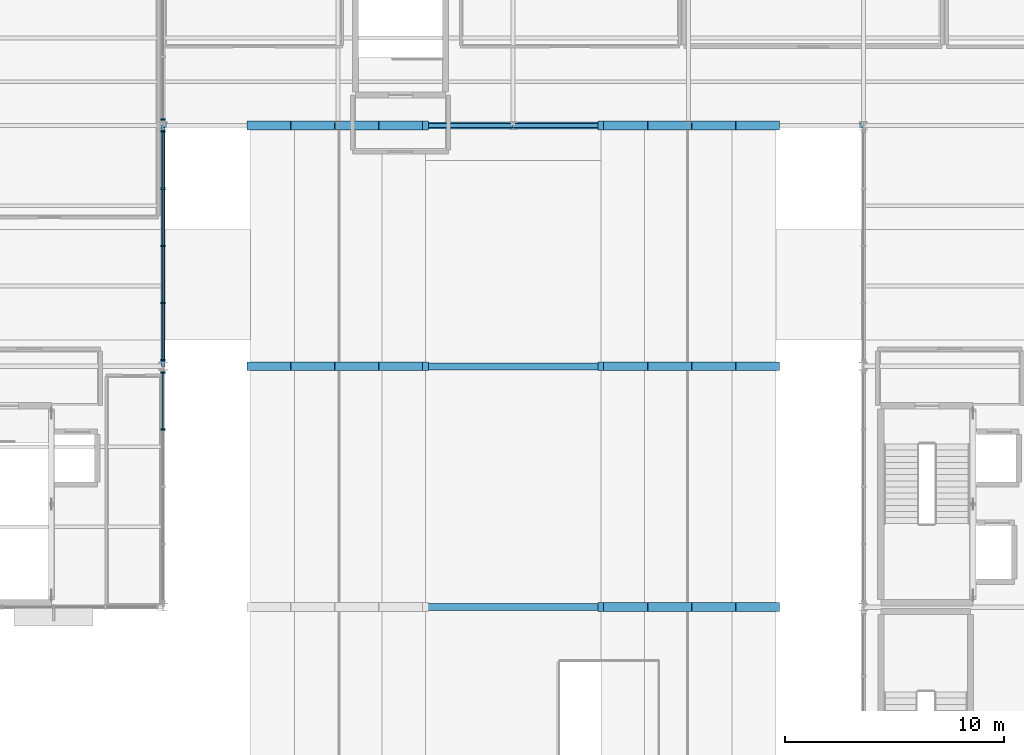
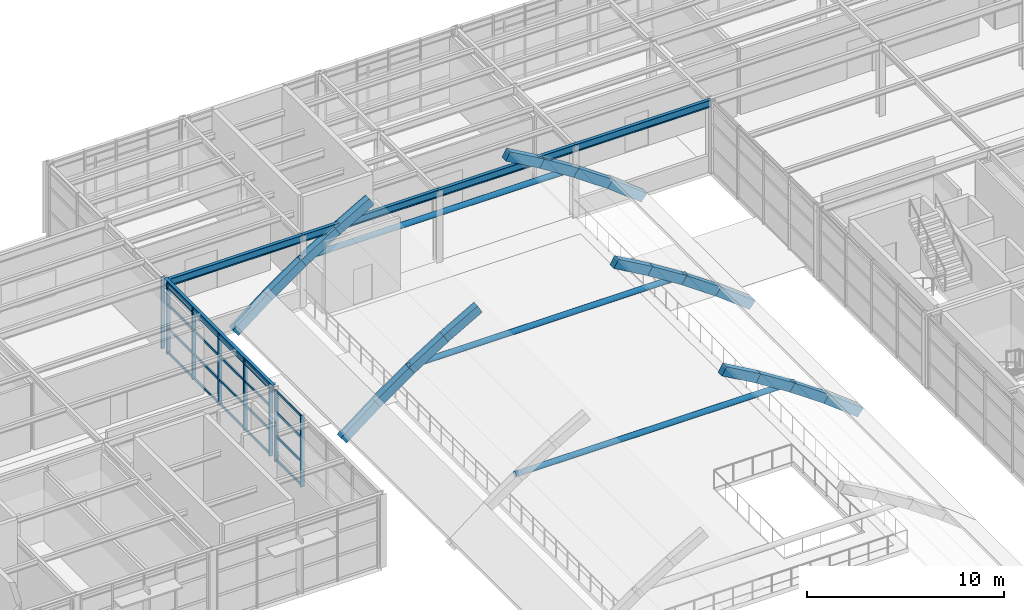
# One storey, part 29 of 82: 31 members, 25 beams, 3 elements without a shape of their own.
"""IFC4 building model written with IfcOpenShell, lengths in metres."""

from ifc_helpers import new_model, si_unit, direction, frame, origin, origin_2d, place, context, subcontext, project, spatial, rectangle, hollow_circle, i_section, extrude, material, layer, layer_set, material_profile, profile_set, type_object, element, aggregate, save


model = new_model("IFC4")

# Units and contexts
model_context = context("Model", 3, precision=1e-05, world=origin(), true_north=direction((0.0, 1.0)))
body_context = subcontext(model_context, "Body", "Model", "MODEL_VIEW")
ifc_project = project(units=[si_unit("LENGTHUNIT", "METRE"), si_unit("AREAUNIT", "SQUARE_METRE"), si_unit("VOLUMEUNIT", "CUBIC_METRE"), si_unit("PLANEANGLEUNIT", "RADIAN"), si_unit("MASSUNIT", "GRAM", prefix="KILO")], contexts=[model_context])

# Site, building, storey
site_placement = place(None, origin())
site = spatial("IfcSite", under=ifc_project, at=site_placement, CompositionType="ELEMENT")
building_placement = place(site_placement, origin())
building = spatial("IfcBuilding", under=site, at=building_placement, Name="Sitalva Quay Ferry Terminal", CompositionType="ELEMENT")
storey_placement = place(building_placement, frame((0.0, 0.0, 5.39990234375)))
storey = spatial("IfcBuildingStorey", under=building, at=storey_placement, Name="L02", CompositionType="ELEMENT", Elevation=5.39990234375)

# Beams
ifc_material_1 = material(Name="Concrete C40/50", Category="concrete")
ifc_material_profile_1 = material_profile(ifc_material_1, rectangle(XDim=0.39990234375, YDim=0.550048828125, at=origin_2d()), Name="RC400x550")
ifc_profile_set_1 = profile_set([ifc_material_profile_1], Name="Concrete C40/50")
beam_type_1 = type_object("IfcBeamType", Name="Beam_Arch_RC400x550", PredefinedType="BEAM", material=ifc_profile_set_1)
beam_1_placement = place(storey_placement, frame((62.0, 78.0, 5.19091796875), z_axis=(0.868569189846, 0.0, -0.495567919109), x_axis=(0.0, 1.0, 0.0)))
element("IfcBeam", 1, at=beam_1_placement, inside=storey, type_object=beam_type_1, Name="Vault V1 transverse arch rib 7.11", PredefinedType="BEAM", context=body_context, shape_type="SweptSolid", body=[
    extrude(rectangle(XDim=0.39990234375, YDim=0.550048828125, at=origin_2d()), origin(), (0.0, 0.0, 1.0), 2.302734375),
])
beam_2_placement = place(storey_placement, frame((64.0, 78.0, 4.044677734375), z_axis=(0.845437399876, 0.0, -0.534074529341), x_axis=(0.0, 1.0, 0.0)))
element("IfcBeam", 2, at=beam_2_placement, inside=storey, type_object=beam_type_1, Name="Vault V1 transverse arch rib 7.12", PredefinedType="BEAM", context=body_context, shape_type="SweptSolid", body=[
    extrude(rectangle(XDim=0.39990234375, YDim=0.550048828125, at=origin_2d()), origin(), (0.0, 0.0, 1.0), 2.36572265625),
])
beam_3_placement = place(storey_placement, frame((66.0, 78.0, 2.775390625), z_axis=(0.81986146461, 0.0, -0.572561943241), x_axis=(0.0, 1.0, 0.0)))
element("IfcBeam", 3, at=beam_3_placement, inside=storey, type_object=beam_type_1, Name="Vault V1 transverse arch rib 7.13", PredefinedType="BEAM", context=body_context, shape_type="SweptSolid", body=[
    extrude(rectangle(XDim=0.39990234375, YDim=0.550048828125, at=origin_2d()), origin(), (0.0, 0.0, 1.0), 2.439453125),
])
for number, where, z_axis, x_axis, name in (
    (4, (68.0, 78.0, 1.37158203125), (0.791620661202, 0.0, -0.611012871189), (0.0, 1.0, 0.0), "Vault V1 transverse arch rib 7.14"),
    (5, (46.0, 89.0, -0.172119140625), (0.791620661202, 0.0, 0.611012871189), (0.0, 1.0, 0.0), "Vault V1 transverse arch rib 8.3"),
):
    element("IfcBeam", number, at=place(storey_placement, frame(where, z_axis=z_axis, x_axis=x_axis)), inside=storey, type_object=beam_type_1, Name=name, PredefinedType="BEAM", context=body_context, shape_type="SweptSolid", body=[
        extrude(rectangle(XDim=0.39990234375, YDim=0.550048828125, at=origin_2d()), origin(), (0.0, 0.0, 1.0), 2.5263671875),
    ])
beam_4_placement = place(storey_placement, frame((48.0, 89.0, 1.378662109375), z_axis=(0.81986146461, 0.0, 0.572561943241), x_axis=(0.0, 1.0, 0.0)))
element("IfcBeam", 6, at=beam_4_placement, inside=storey, type_object=beam_type_1, Name="Vault V1 transverse arch rib 8.4", PredefinedType="BEAM", context=body_context, shape_type="SweptSolid", body=[
    extrude(rectangle(XDim=0.39990234375, YDim=0.550048828125, at=origin_2d()), origin(), (0.0, 0.0, 1.0), 2.439453125),
])
beam_5_placement = place(storey_placement, frame((50.0, 89.0, 2.78125), z_axis=(0.845437399876, 0.0, 0.534074529341), x_axis=(0.0, 1.0, 0.0)))
element("IfcBeam", 7, at=beam_5_placement, inside=storey, type_object=beam_type_1, Name="Vault V1 transverse arch rib 8.5", PredefinedType="BEAM", context=body_context, shape_type="SweptSolid", body=[
    extrude(rectangle(XDim=0.39990234375, YDim=0.550048828125, at=origin_2d()), origin(), (0.0, 0.0, 1.0), 2.36572265625),
])
for number, where, z_axis, x_axis, name in (
    (8, (52.0, 89.0, 4.0498046875), (0.868569189846, 0.0, 0.495567919109), (0.0, 1.0, 0.0), "Vault V1 transverse arch rib 8.6"),
    (9, (62.0, 89.0, 5.19091796875), (0.868569189846, 0.0, -0.495567919109), (0.0, 1.0, 0.0), "Vault V1 transverse arch rib 8.11"),
):
    element("IfcBeam", number, at=place(storey_placement, frame(where, z_axis=z_axis, x_axis=x_axis)), inside=storey, type_object=beam_type_1, Name=name, PredefinedType="BEAM", context=body_context, shape_type="SweptSolid", body=[
        extrude(rectangle(XDim=0.39990234375, YDim=0.550048828125, at=origin_2d()), origin(), (0.0, 0.0, 1.0), 2.302734375),
    ])
beam_6_placement = place(storey_placement, frame((64.0, 89.0, 4.044677734375), z_axis=(0.845437399876, 0.0, -0.534074529341), x_axis=(0.0, 1.0, 0.0)))
element("IfcBeam", 10, at=beam_6_placement, inside=storey, type_object=beam_type_1, Name="Vault V1 transverse arch rib 8.12", PredefinedType="BEAM", context=body_context, shape_type="SweptSolid", body=[
    extrude(rectangle(XDim=0.39990234375, YDim=0.550048828125, at=origin_2d()), origin(), (0.0, 0.0, 1.0), 2.36572265625),
])
beam_7_placement = place(storey_placement, frame((66.0, 89.0, 2.775390625), z_axis=(0.81986146461, 0.0, -0.572561943241), x_axis=(0.0, 1.0, 0.0)))
element("IfcBeam", 11, at=beam_7_placement, inside=storey, type_object=beam_type_1, Name="Vault V1 transverse arch rib 8.13", PredefinedType="BEAM", context=body_context, shape_type="SweptSolid", body=[
    extrude(rectangle(XDim=0.39990234375, YDim=0.550048828125, at=origin_2d()), origin(), (0.0, 0.0, 1.0), 2.439453125),
])
for number, where, z_axis, x_axis, name in (
    (12, (68.0, 89.0, 1.37158203125), (0.791620661202, 0.0, -0.611012871189), (0.0, 1.0, 0.0), "Vault V1 transverse arch rib 8.14"),
    (13, (46.0, 100.0, -0.172119140625), (0.791620661202, 0.0, 0.611012871189), (0.0, 1.0, 0.0), "Vault V1 transverse arch rib 9.3"),
):
    element("IfcBeam", number, at=place(storey_placement, frame(where, z_axis=z_axis, x_axis=x_axis)), inside=storey, type_object=beam_type_1, Name=name, PredefinedType="BEAM", context=body_context, shape_type="SweptSolid", body=[
        extrude(rectangle(XDim=0.39990234375, YDim=0.550048828125, at=origin_2d()), origin(), (0.0, 0.0, 1.0), 2.5263671875),
    ])
beam_8_placement = place(storey_placement, frame((48.0, 100.0, 1.378662109375), z_axis=(0.81986146461, 0.0, 0.572561943241), x_axis=(0.0, 1.0, 0.0)))
element("IfcBeam", 14, at=beam_8_placement, inside=storey, type_object=beam_type_1, Name="Vault V1 transverse arch rib 9.4", PredefinedType="BEAM", context=body_context, shape_type="SweptSolid", body=[
    extrude(rectangle(XDim=0.39990234375, YDim=0.550048828125, at=origin_2d()), origin(), (0.0, 0.0, 1.0), 2.439453125),
])
beam_9_placement = place(storey_placement, frame((50.0, 100.0, 2.78125), z_axis=(0.845437399876, 0.0, 0.534074529341), x_axis=(0.0, 1.0, 0.0)))
element("IfcBeam", 15, at=beam_9_placement, inside=storey, type_object=beam_type_1, Name="Vault V1 transverse arch rib 9.5", PredefinedType="BEAM", context=body_context, shape_type="SweptSolid", body=[
    extrude(rectangle(XDim=0.39990234375, YDim=0.550048828125, at=origin_2d()), origin(), (0.0, 0.0, 1.0), 2.36572265625),
])
for number, where, z_axis, x_axis, name in (
    (16, (52.0, 100.0, 4.0498046875), (0.868569189846, 0.0, 0.495567919109), (0.0, 1.0, 0.0), "Vault V1 transverse arch rib 9.6"),
    (17, (62.0, 100.0, 5.19091796875), (0.868569189846, 0.0, -0.495567919109), (0.0, 1.0, 0.0), "Vault V1 transverse arch rib 9.11"),
):
    element("IfcBeam", number, at=place(storey_placement, frame(where, z_axis=z_axis, x_axis=x_axis)), inside=storey, type_object=beam_type_1, Name=name, PredefinedType="BEAM", context=body_context, shape_type="SweptSolid", body=[
        extrude(rectangle(XDim=0.39990234375, YDim=0.550048828125, at=origin_2d()), origin(), (0.0, 0.0, 1.0), 2.302734375),
    ])
beam_10_placement = place(storey_placement, frame((64.0, 100.0, 4.044677734375), z_axis=(0.845437399876, 0.0, -0.534074529341), x_axis=(0.0, 1.0, 0.0)))
element("IfcBeam", 18, at=beam_10_placement, inside=storey, type_object=beam_type_1, Name="Vault V1 transverse arch rib 9.12", PredefinedType="BEAM", context=body_context, shape_type="SweptSolid", body=[
    extrude(rectangle(XDim=0.39990234375, YDim=0.550048828125, at=origin_2d()), origin(), (0.0, 0.0, 1.0), 2.36572265625),
])
beam_11_placement = place(storey_placement, frame((66.0, 100.0, 2.775390625), z_axis=(0.81986146461, 0.0, -0.572561943241), x_axis=(0.0, 1.0, 0.0)))
element("IfcBeam", 19, at=beam_11_placement, inside=storey, type_object=beam_type_1, Name="Vault V1 transverse arch rib 9.13", PredefinedType="BEAM", context=body_context, shape_type="SweptSolid", body=[
    extrude(rectangle(XDim=0.39990234375, YDim=0.550048828125, at=origin_2d()), origin(), (0.0, 0.0, 1.0), 2.439453125),
])
beam_12_placement = place(storey_placement, frame((68.0, 100.0, 1.37158203125), z_axis=(0.791620661202, 0.0, -0.611012871189), x_axis=(0.0, 1.0, 0.0)))
element("IfcBeam", 20, at=beam_12_placement, inside=storey, type_object=beam_type_1, Name="Vault V1 transverse arch rib 9.14", PredefinedType="BEAM", context=body_context, shape_type="SweptSolid", body=[
    extrude(rectangle(XDim=0.39990234375, YDim=0.550048828125, at=origin_2d()), origin(), (0.0, 0.0, 1.0), 2.5263671875),
])
ifc_material_2 = material(Name="Structural Steel S355JR", Category="steel")
ifc_material_profile_2 = material_profile(ifc_material_2, i_section(OverallWidth=0.180908203125, OverallDepth=0.4169921875, WebThickness=0.010986328125, FlangeThickness=0.018310546875, FilletRadius=0.012939453125, at=origin_2d()), Name="W410x85")
ifc_profile_set_2 = profile_set([ifc_material_profile_2], Name="Structural Steel S355JR")
beam_type_2 = type_object("IfcBeamType", Name="Beam_W410x85", PredefinedType="BEAM", material=ifc_profile_set_2)
beam_13_placement = place(storey_placement, frame((42.0, 89.0, 4.3515625), z_axis=(0.0, 1.0, 0.0), x_axis=(-1.0, 0.0, 0.0)))
element("IfcBeam", 21, at=beam_13_placement, inside=storey, type_object=beam_type_2, Name="L02 Primary Y girder 0980", PredefinedType="BEAM", context=body_context, shape_type="SweptSolid", body=[
    extrude(i_section(OverallWidth=0.180908203125, OverallDepth=0.4169921875, WebThickness=0.010986328125, FlangeThickness=0.018310546875, FilletRadius=0.012939453125, at=origin_2d()), origin(), (0.0, 0.0, 1.0), 11.0),
])
ifc_material_3 = material(Name="Structural Steel S355JR", Category="steel")
ifc_material_profile_3 = material_profile(ifc_material_3, i_section(OverallWidth=0.19091796875, OverallDepth=0.4599609375, WebThickness=0.010009765625, FlangeThickness=0.01611328125, FilletRadius=0.013916015625, at=origin_2d()), Name="W460x82")
ifc_profile_set_3 = profile_set([ifc_material_profile_3], Name="Structural Steel S355JR")
beam_type_3 = type_object("IfcBeamType", Name="Beam_W460x82", PredefinedType="BEAM", material=ifc_profile_set_3)
for number, where, z_axis, x_axis, name in (
    (22, (42.0, 100.0, 4.22021484375), (1.0, 0.0, 0.0), (0.0, 1.0, 0.0), "L02 Primary X girder 1129"),
    (23, (50.0, 100.0, 4.22021484375), (1.0, 0.0, 0.0), (0.0, 1.0, 0.0), "L02 Primary X girder 1130"),
    (24, (58.0, 100.0, 4.22021484375), (1.0, 0.0, 0.0), (0.0, 1.0, 0.0), "L02 Primary X girder 1131"),
    (25, (66.0, 100.0, 4.22021484375), (1.0, 0.0, 0.0), (0.0, 1.0, 0.0), "L02 Primary X girder 1132"),
):
    element("IfcBeam", number, at=place(storey_placement, frame(where, z_axis=z_axis, x_axis=x_axis)), inside=storey, type_object=beam_type_3, Name=name, PredefinedType="BEAM", context=body_context, shape_type="SweptSolid", body=[
        extrude(i_section(OverallWidth=0.19091796875, OverallDepth=0.4599609375, WebThickness=0.010009765625, FlangeThickness=0.01611328125, FilletRadius=0.013916015625, at=origin_2d()), origin(), (0.0, 0.0, 1.0), 8.0),
    ])

# Curtain wall, members
ifc_material_4 = material(Name="Anodised Aluminium & Low-E Glazing", Category="aluminium")
ifc_layer = layer(ifc_material_4, 0.159912109375)
ifc_layer_set = layer_set([ifc_layer], Name="Anodised Aluminium & Low-E Glazing")
curtain_wall_type = type_object("IfcCurtainWallType", Name="CW_Office_Unitised", PredefinedType="USERDEFINED", material=ifc_layer_set)
curtain_wall_1_placement = place(storey_placement, origin())
curtain_wall_1 = element("IfcCurtainWall", 26, at=curtain_wall_1_placement, inside=storey, type_object=curtain_wall_type, Name="L02 west wing east glazing overlooking V1 (CW-L02-109)", ObjectType="CURTAIN_WALL", PredefinedType="USERDEFINED")
ifc_material_5 = material(Name="Anodised Aluminium 6063-T6", Category="aluminium")
ifc_material_profile_4 = material_profile(ifc_material_5, rectangle(XDim=0.074951171875, YDim=0.219970703125, at=origin_2d()), Name="ALU75x220")
ifc_profile_set_4 = profile_set([ifc_material_profile_4], Name="Anodised Aluminium 6063-T6")
member_type_1 = type_object("IfcMemberType", Name="Mullion_Alu_75x160", PredefinedType="MULLION", material=ifc_profile_set_4)
member_1_placement = place(storey_placement, frame((42.0, 86.110107421875, 0.0), z_axis=(0.0, 0.0, 1.0), x_axis=(0.0, 1.0, 0.0)))
member_1 = element("IfcMember", 27, at=member_1_placement, type_object=member_type_1, Name="CW-L02-109-M3", PredefinedType="MULLION", context=body_context, shape_type="SweptSolid", body=[
    extrude(rectangle(XDim=0.074951171875, YDim=0.219970703125, at=origin_2d()), origin(), (0.0, 0.0, 1.0), 4.4501953125),
])
member_2_placement = place(storey_placement, frame((42.0, 88.719970703125, 0.0), z_axis=(0.0, 0.0, 1.0), x_axis=(0.0, 1.0, 0.0)))
member_2 = element("IfcMember", 28, at=member_2_placement, type_object=member_type_1, Name="CW-L02-109-M4", PredefinedType="MULLION", context=body_context, shape_type="SweptSolid", body=[
    extrude(rectangle(XDim=0.074951171875, YDim=0.219970703125, at=origin_2d()), origin(), (0.0, 0.0, 1.0), 4.4501953125),
])

curtain_wall_2_placement = place(storey_placement, origin())
curtain_wall_2 = element("IfcCurtainWall", 29, at=curtain_wall_2_placement, inside=storey, type_object=curtain_wall_type, Name="L02 west wing east glazing overlooking V1 (CW-L02-111)", ObjectType="CURTAIN_WALL", PredefinedType="USERDEFINED")
member_3_placement = place(storey_placement, frame((42.0, 89.280029296875, 0.0), z_axis=(0.0, 0.0, 1.0), x_axis=(0.0, 1.0, 0.0)))
member_3 = element("IfcMember", 30, at=member_3_placement, type_object=member_type_1, Name="CW-L02-111-M0", PredefinedType="MULLION", context=body_context, shape_type="SweptSolid", body=[
    extrude(rectangle(XDim=0.074951171875, YDim=0.219970703125, at=origin_2d()), origin(), (0.0, 0.0, 1.0), 4.4501953125),
])
member_4_placement = place(storey_placement, frame((42.0, 91.889892578125, 0.0), z_axis=(0.0, 0.0, 1.0), x_axis=(0.0, 1.0, 0.0)))
member_4 = element("IfcMember", 31, at=member_4_placement, type_object=member_type_1, Name="CW-L02-111-M1", PredefinedType="MULLION", context=body_context, shape_type="SweptSolid", body=[
    extrude(rectangle(XDim=0.074951171875, YDim=0.219970703125, at=origin_2d()), origin(), (0.0, 0.0, 1.0), 4.4501953125),
])
member_5_placement = place(storey_placement, frame((42.0, 94.5, 0.0), z_axis=(0.0, 0.0, 1.0), x_axis=(0.0, 1.0, 0.0)))
member_5 = element("IfcMember", 32, at=member_5_placement, type_object=member_type_1, Name="CW-L02-111-M2", PredefinedType="MULLION", context=body_context, shape_type="SweptSolid", body=[
    extrude(rectangle(XDim=0.074951171875, YDim=0.219970703125, at=origin_2d()), origin(), (0.0, 0.0, 1.0), 4.4501953125),
])
member_6_placement = place(storey_placement, frame((42.0, 97.110107421875, 0.0), z_axis=(0.0, 0.0, 1.0), x_axis=(0.0, 1.0, 0.0)))
member_6 = element("IfcMember", 33, at=member_6_placement, type_object=member_type_1, Name="CW-L02-111-M3", PredefinedType="MULLION", context=body_context, shape_type="SweptSolid", body=[
    extrude(rectangle(XDim=0.074951171875, YDim=0.219970703125, at=origin_2d()), origin(), (0.0, 0.0, 1.0), 4.4501953125),
])
member_7_placement = place(storey_placement, frame((42.0, 99.719970703125, 0.0), z_axis=(0.0, 0.0, 1.0), x_axis=(0.0, 1.0, 0.0)))
member_7 = element("IfcMember", 34, at=member_7_placement, type_object=member_type_1, Name="CW-L02-111-M4", PredefinedType="MULLION", context=body_context, shape_type="SweptSolid", body=[
    extrude(rectangle(XDim=0.074951171875, YDim=0.219970703125, at=origin_2d()), origin(), (0.0, 0.0, 1.0), 4.4501953125),
])

# Curtain wall, member
curtain_wall_3_placement = place(storey_placement, origin())
curtain_wall_3 = element("IfcCurtainWall", 35, at=curtain_wall_3_placement, inside=storey, type_object=curtain_wall_type, Name="L02 forecourt west return glazing (CW-L02-113)", ObjectType="CURTAIN_WALL", PredefinedType="USERDEFINED")
member_8_placement = place(storey_placement, frame((42.0, 100.280029296875, 0.0), z_axis=(0.0, 0.0, 1.0), x_axis=(0.0, 1.0, 0.0)))
member_8 = element("IfcMember", 36, at=member_8_placement, type_object=member_type_1, Name="CW-L02-113-M0", PredefinedType="MULLION", context=body_context, shape_type="SweptSolid", body=[
    extrude(rectangle(XDim=0.074951171875, YDim=0.219970703125, at=origin_2d()), origin(), (0.0, 0.0, 1.0), 4.4501953125),
])
aggregate(curtain_wall_3, [member_8])

# Members
ifc_material_6 = material(Name="Structural Steel S355JR", Category="steel")
ifc_material_profile_5 = material_profile(ifc_material_6, hollow_circle(Radius=0.161865234375, WallThickness=0.012451171875, at=origin_2d()), Name="CHS324x12.5")
ifc_profile_set_5 = profile_set([ifc_material_profile_5], Name="Structural Steel S355JR")
member_type_2 = type_object("IfcMemberType", Name="Strut_CHS324x12", PredefinedType="STRUT", material=ifc_profile_set_5)
for number, where, z_axis, x_axis, name in (
    (37, (49.800048828125, 78.0, 2.9501953125), (1.0, 0.0, 0.0), (0.0, 1.0, 0.0), "Vault V1 elevated arch collar tie 7"),
    (38, (49.800048828125, 89.0, 2.9501953125), (1.0, 0.0, 0.0), (0.0, 1.0, 0.0), "Vault V1 elevated arch collar tie 8"),
    (39, (49.800048828125, 100.0, 2.9501953125), (1.0, 0.0, 0.0), (0.0, 1.0, 0.0), "Vault V1 elevated arch collar tie 9"),
):
    element("IfcMember", number, at=place(storey_placement, frame(where, z_axis=z_axis, x_axis=x_axis)), inside=storey, type_object=member_type_2, Name=name, PredefinedType="STRUT", context=body_context, shape_type="SweptSolid", body=[
        extrude(hollow_circle(Radius=0.161865234375, WallThickness=0.012451171875, at=origin_2d()), origin(), (0.0, 0.0, 1.0), 16.39990234375),
    ])

# Member
ifc_material_7 = material(Name="Anodised Aluminium 6063-T6", Category="aluminium")
ifc_material_profile_6 = material_profile(ifc_material_7, rectangle(XDim=0.074951171875, YDim=0.14990234375, at=origin_2d()), Name="ALU75x150")
ifc_profile_set_6 = profile_set([ifc_material_profile_6], Name="Anodised Aluminium 6063-T6")
member_type_3 = type_object("IfcMemberType", Name="Transom_Alu_75x140", PredefinedType="MULLION", material=ifc_profile_set_6)
member_9_placement = place(storey_placement, frame((42.0, 86.1474609375, 0.0751953125), z_axis=(0.0, 1.0, 0.0), x_axis=(-1.0, 0.0, 0.0)))
member_9 = element("IfcMember", 40, at=member_9_placement, type_object=member_type_3, Name="CW-L02-109-T3-0", ObjectType="TRANSOM", PredefinedType="USERDEFINED", context=body_context, shape_type="SweptSolid", body=[
    extrude(rectangle(XDim=0.074951171875, YDim=0.14990234375, at=origin_2d()), origin(), (0.0, 0.0, 1.0), 2.53515625),
])

member_10_placement = place(storey_placement, frame((42.0, 86.1474609375, 1.558349609375), z_axis=(0.0, 1.0, 0.0), x_axis=(-1.0, 0.0, 0.0)))
member_10 = element("IfcMember", 41, at=member_10_placement, type_object=member_type_3, Name="CW-L02-109-T3-1", ObjectType="TRANSOM", PredefinedType="USERDEFINED", context=body_context, shape_type="SweptSolid", body=[
    extrude(rectangle(XDim=0.074951171875, YDim=0.14990234375, at=origin_2d()), origin(), (0.0, 0.0, 1.0), 2.53515625),
])

member_11_placement = place(storey_placement, frame((42.0, 86.1474609375, 3.041748046875), z_axis=(0.0, 1.0, 0.0), x_axis=(-1.0, 0.0, 0.0)))
member_11 = element("IfcMember", 42, at=member_11_placement, type_object=member_type_3, Name="CW-L02-109-T3-2", ObjectType="TRANSOM", PredefinedType="USERDEFINED", context=body_context, shape_type="SweptSolid", body=[
    extrude(rectangle(XDim=0.074951171875, YDim=0.14990234375, at=origin_2d()), origin(), (0.0, 0.0, 1.0), 2.53515625),
])

member_12_placement = place(storey_placement, frame((42.0, 86.1474609375, 4.375), z_axis=(0.0, 1.0, 0.0), x_axis=(-1.0, 0.0, 0.0)))
member_12 = element("IfcMember", 43, at=member_12_placement, type_object=member_type_3, Name="CW-L02-109-T3-3", ObjectType="TRANSOM", PredefinedType="USERDEFINED", context=body_context, shape_type="SweptSolid", body=[
    extrude(rectangle(XDim=0.074951171875, YDim=0.14990234375, at=origin_2d()), origin(), (0.0, 0.0, 1.0), 2.53515625),
])

aggregate(curtain_wall_1, [member_1, member_2, member_9, member_10, member_11, member_12])

member_13_placement = place(storey_placement, frame((42.0, 89.3173828125, 0.0751953125), z_axis=(0.0, 1.0, 0.0), x_axis=(-1.0, 0.0, 0.0)))
member_13 = element("IfcMember", 44, at=member_13_placement, type_object=member_type_3, Name="CW-L02-111-T0-0", ObjectType="TRANSOM", PredefinedType="USERDEFINED", context=body_context, shape_type="SweptSolid", body=[
    extrude(rectangle(XDim=0.074951171875, YDim=0.14990234375, at=origin_2d()), origin(), (0.0, 0.0, 1.0), 2.53515625),
])

member_14_placement = place(storey_placement, frame((42.0, 89.3173828125, 1.558349609375), z_axis=(0.0, 1.0, 0.0), x_axis=(-1.0, 0.0, 0.0)))
member_14 = element("IfcMember", 45, at=member_14_placement, type_object=member_type_3, Name="CW-L02-111-T0-1", ObjectType="TRANSOM", PredefinedType="USERDEFINED", context=body_context, shape_type="SweptSolid", body=[
    extrude(rectangle(XDim=0.074951171875, YDim=0.14990234375, at=origin_2d()), origin(), (0.0, 0.0, 1.0), 2.53515625),
])

member_15_placement = place(storey_placement, frame((42.0, 89.3173828125, 3.041748046875), z_axis=(0.0, 1.0, 0.0), x_axis=(-1.0, 0.0, 0.0)))
member_15 = element("IfcMember", 46, at=member_15_placement, type_object=member_type_3, Name="CW-L02-111-T0-2", ObjectType="TRANSOM", PredefinedType="USERDEFINED", context=body_context, shape_type="SweptSolid", body=[
    extrude(rectangle(XDim=0.074951171875, YDim=0.14990234375, at=origin_2d()), origin(), (0.0, 0.0, 1.0), 2.53515625),
])

member_16_placement = place(storey_placement, frame((42.0, 89.3173828125, 4.375), z_axis=(0.0, 1.0, 0.0), x_axis=(-1.0, 0.0, 0.0)))
member_16 = element("IfcMember", 47, at=member_16_placement, type_object=member_type_3, Name="CW-L02-111-T0-3", ObjectType="TRANSOM", PredefinedType="USERDEFINED", context=body_context, shape_type="SweptSolid", body=[
    extrude(rectangle(XDim=0.074951171875, YDim=0.14990234375, at=origin_2d()), origin(), (0.0, 0.0, 1.0), 2.53515625),
])

member_17_placement = place(storey_placement, frame((42.0, 91.927490234375, 0.0751953125), z_axis=(0.0, 1.0, 0.0), x_axis=(-1.0, 0.0, 0.0)))
member_17 = element("IfcMember", 48, at=member_17_placement, type_object=member_type_3, Name="CW-L02-111-T1-0", ObjectType="TRANSOM", PredefinedType="USERDEFINED", context=body_context, shape_type="SweptSolid", body=[
    extrude(rectangle(XDim=0.074951171875, YDim=0.14990234375, at=origin_2d()), origin(), (0.0, 0.0, 1.0), 2.534912109375),
])

member_18_placement = place(storey_placement, frame((42.0, 91.927490234375, 1.558349609375), z_axis=(0.0, 1.0, 0.0), x_axis=(-1.0, 0.0, 0.0)))
member_18 = element("IfcMember", 49, at=member_18_placement, type_object=member_type_3, Name="CW-L02-111-T1-1", ObjectType="TRANSOM", PredefinedType="USERDEFINED", context=body_context, shape_type="SweptSolid", body=[
    extrude(rectangle(XDim=0.074951171875, YDim=0.14990234375, at=origin_2d()), origin(), (0.0, 0.0, 1.0), 2.534912109375),
])

member_19_placement = place(storey_placement, frame((42.0, 91.927490234375, 3.041748046875), z_axis=(0.0, 1.0, 0.0), x_axis=(-1.0, 0.0, 0.0)))
member_19 = element("IfcMember", 50, at=member_19_placement, type_object=member_type_3, Name="CW-L02-111-T1-2", ObjectType="TRANSOM", PredefinedType="USERDEFINED", context=body_context, shape_type="SweptSolid", body=[
    extrude(rectangle(XDim=0.074951171875, YDim=0.14990234375, at=origin_2d()), origin(), (0.0, 0.0, 1.0), 2.534912109375),
])

member_20_placement = place(storey_placement, frame((42.0, 91.927490234375, 4.375), z_axis=(0.0, 1.0, 0.0), x_axis=(-1.0, 0.0, 0.0)))
member_20 = element("IfcMember", 51, at=member_20_placement, type_object=member_type_3, Name="CW-L02-111-T1-3", ObjectType="TRANSOM", PredefinedType="USERDEFINED", context=body_context, shape_type="SweptSolid", body=[
    extrude(rectangle(XDim=0.074951171875, YDim=0.14990234375, at=origin_2d()), origin(), (0.0, 0.0, 1.0), 2.534912109375),
])

member_21_placement = place(storey_placement, frame((42.0, 94.53759765625, 0.0751953125), z_axis=(0.0, 1.0, 0.0), x_axis=(-1.0, 0.0, 0.0)))
member_21 = element("IfcMember", 52, at=member_21_placement, type_object=member_type_3, Name="CW-L02-111-T2-0", ObjectType="TRANSOM", PredefinedType="USERDEFINED", context=body_context, shape_type="SweptSolid", body=[
    extrude(rectangle(XDim=0.074951171875, YDim=0.14990234375, at=origin_2d()), origin(), (0.0, 0.0, 1.0), 2.534912109375),
])

member_22_placement = place(storey_placement, frame((42.0, 94.53759765625, 1.558349609375), z_axis=(0.0, 1.0, 0.0), x_axis=(-1.0, 0.0, 0.0)))
member_22 = element("IfcMember", 53, at=member_22_placement, type_object=member_type_3, Name="CW-L02-111-T2-1", ObjectType="TRANSOM", PredefinedType="USERDEFINED", context=body_context, shape_type="SweptSolid", body=[
    extrude(rectangle(XDim=0.074951171875, YDim=0.14990234375, at=origin_2d()), origin(), (0.0, 0.0, 1.0), 2.534912109375),
])

member_23_placement = place(storey_placement, frame((42.0, 94.53759765625, 3.041748046875), z_axis=(0.0, 1.0, 0.0), x_axis=(-1.0, 0.0, 0.0)))
member_23 = element("IfcMember", 54, at=member_23_placement, type_object=member_type_3, Name="CW-L02-111-T2-2", ObjectType="TRANSOM", PredefinedType="USERDEFINED", context=body_context, shape_type="SweptSolid", body=[
    extrude(rectangle(XDim=0.074951171875, YDim=0.14990234375, at=origin_2d()), origin(), (0.0, 0.0, 1.0), 2.534912109375),
])

member_24_placement = place(storey_placement, frame((42.0, 94.53759765625, 4.375), z_axis=(0.0, 1.0, 0.0), x_axis=(-1.0, 0.0, 0.0)))
member_24 = element("IfcMember", 55, at=member_24_placement, type_object=member_type_3, Name="CW-L02-111-T2-3", ObjectType="TRANSOM", PredefinedType="USERDEFINED", context=body_context, shape_type="SweptSolid", body=[
    extrude(rectangle(XDim=0.074951171875, YDim=0.14990234375, at=origin_2d()), origin(), (0.0, 0.0, 1.0), 2.534912109375),
])

member_25_placement = place(storey_placement, frame((42.0, 97.1474609375, 0.0751953125), z_axis=(0.0, 1.0, 0.0), x_axis=(-1.0, 0.0, 0.0)))
member_25 = element("IfcMember", 56, at=member_25_placement, type_object=member_type_3, Name="CW-L02-111-T3-0", ObjectType="TRANSOM", PredefinedType="USERDEFINED", context=body_context, shape_type="SweptSolid", body=[
    extrude(rectangle(XDim=0.074951171875, YDim=0.14990234375, at=origin_2d()), origin(), (0.0, 0.0, 1.0), 2.53515625),
])

member_26_placement = place(storey_placement, frame((42.0, 97.1474609375, 1.558349609375), z_axis=(0.0, 1.0, 0.0), x_axis=(-1.0, 0.0, 0.0)))
member_26 = element("IfcMember", 57, at=member_26_placement, type_object=member_type_3, Name="CW-L02-111-T3-1", ObjectType="TRANSOM", PredefinedType="USERDEFINED", context=body_context, shape_type="SweptSolid", body=[
    extrude(rectangle(XDim=0.074951171875, YDim=0.14990234375, at=origin_2d()), origin(), (0.0, 0.0, 1.0), 2.53515625),
])

member_27_placement = place(storey_placement, frame((42.0, 97.1474609375, 3.041748046875), z_axis=(0.0, 1.0, 0.0), x_axis=(-1.0, 0.0, 0.0)))
member_27 = element("IfcMember", 58, at=member_27_placement, type_object=member_type_3, Name="CW-L02-111-T3-2", ObjectType="TRANSOM", PredefinedType="USERDEFINED", context=body_context, shape_type="SweptSolid", body=[
    extrude(rectangle(XDim=0.074951171875, YDim=0.14990234375, at=origin_2d()), origin(), (0.0, 0.0, 1.0), 2.53515625),
])

member_28_placement = place(storey_placement, frame((42.0, 97.1474609375, 4.375), z_axis=(0.0, 1.0, 0.0), x_axis=(-1.0, 0.0, 0.0)))
member_28 = element("IfcMember", 59, at=member_28_placement, type_object=member_type_3, Name="CW-L02-111-T3-3", ObjectType="TRANSOM", PredefinedType="USERDEFINED", context=body_context, shape_type="SweptSolid", body=[
    extrude(rectangle(XDim=0.074951171875, YDim=0.14990234375, at=origin_2d()), origin(), (0.0, 0.0, 1.0), 2.53515625),
])

aggregate(curtain_wall_2, [member_3, member_4, member_5, member_6, member_7, member_13, member_14, member_15, member_16, member_17, member_18, member_19, member_20, member_21, member_22, member_23, member_24, member_25, member_26, member_27, member_28])

save(model, "model.ifc")
